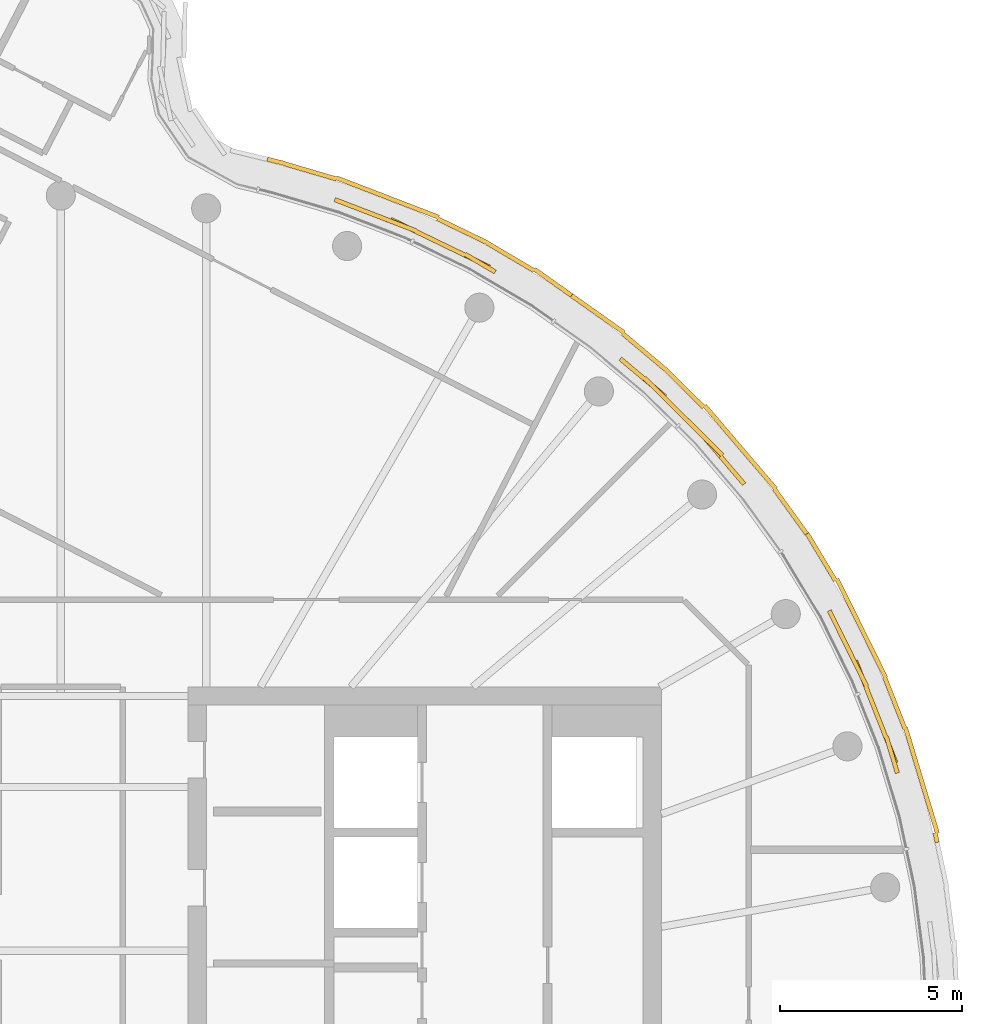
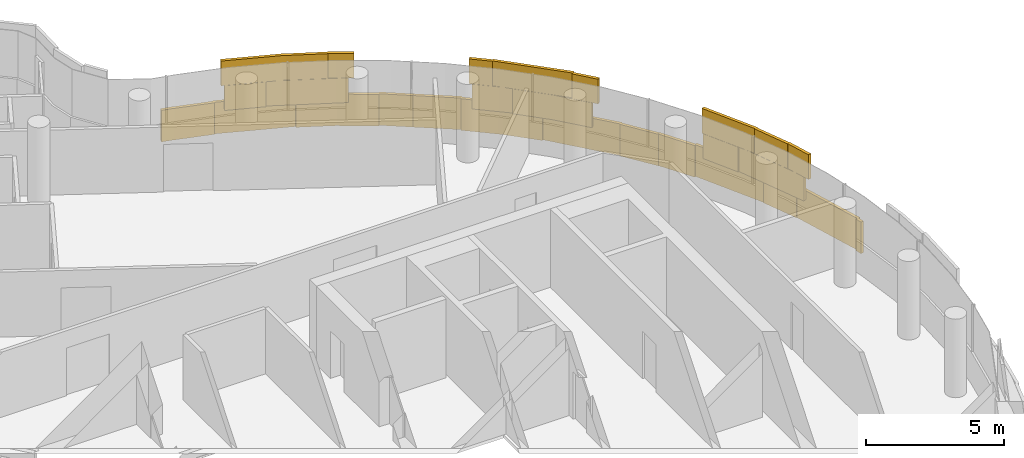
# One storey, part 20 of 21: 3 coverings.
"""IFC4 building model written with IfcOpenShell, lengths in metres."""

from ifc_helpers import new_model, si_unit, direction, frame, origin, origin_2d, place, context, subcontext, project, spatial, rectangle, extrude, material, layer, layer_set, type_object, element, save


model = new_model("IFC4")

# Units and contexts
model_context = context("Model", 3, precision=1e-05, world=origin(), true_north=direction((0.0, 1.0)))
body_context = subcontext(model_context, "Body", "Model", "MODEL_VIEW")
ifc_project = project(units=[si_unit("LENGTHUNIT", "METRE"), si_unit("AREAUNIT", "SQUARE_METRE"), si_unit("VOLUMEUNIT", "CUBIC_METRE"), si_unit("PLANEANGLEUNIT", "RADIAN"), si_unit("MASSUNIT", "GRAM", prefix="KILO")], contexts=[model_context])

# Site, building, storey
site_placement = place(None, origin())
site = spatial("IfcSite", under=ifc_project, at=site_placement, CompositionType="ELEMENT")
building_placement = place(site_placement, origin())
building = spatial("IfcBuilding", under=site, at=building_placement, Name="Tamarind Cross Interchange Tower", CompositionType="ELEMENT")
storey_placement = place(building_placement, frame((0.0, 0.0, 260.39990234375)))
storey = spatial("IfcBuildingStorey", under=building, at=storey_placement, Name="L66", CompositionType="ELEMENT", Elevation=260.39990234375)

# Coverings
ifc_material = material(Name="Terracotta", Category="masonry")
ifc_layer = layer(ifc_material, 0.1201171875)
ifc_layer_set = layer_set([ifc_layer], Name="Terracotta")
covering_type = type_object("IfcCoveringType", Name="Terracotta baguette screen unit", PredefinedType="MOLDING", material=ifc_layer_set)
covering_1_placement = place(storey_placement, origin())
element("IfcCovering", 1, at=covering_1_placement, inside=storey, type_object=covering_type, Name="SCR-L66-01-12", PredefinedType="MOLDING", context=body_context, shape_type="SweptSolid", body=[
    extrude(rectangle(XDim=1.52001953125, YDim=0.1201171875, at=origin_2d()), frame((22.66748046875, 8.1201171875, 1.404296875), z_axis=(0.0, 0.0, 1.0), x_axis=(-0.367513773146, 0.930018078613, 0.0)), (0.0, 0.0, 1.0), 1.092041015625),
    extrude(rectangle(XDim=1.52001953125, YDim=0.1201171875, at=origin_2d()), frame((22.1162109375, 9.51513671875, 1.404296875), z_axis=(0.0, 0.0, 1.0), x_axis=(-0.367513773146, 0.930018078613, 0.0)), (0.0, 0.0, 1.0), 1.092041015625),
    extrude(rectangle(XDim=1.52001953125, YDim=0.1201171875, at=origin_2d()), frame((21.472412109375, 10.869140625, 1.404296875), z_axis=(0.0, 0.0, 1.0), x_axis=(-0.443058811505, 0.896492548518, 0.0)), (0.0, 0.0, 1.0), 1.092041015625),
    extrude(rectangle(XDim=1.04541015625, YDim=0.1201171875, at=origin_2d()), frame((22.834228515625, 7.630615234375, 2.50390625), z_axis=(0.0, 0.0, 1.0), x_axis=(-0.289458243079, 0.957190642199, 0.0)), (0.0, 0.0, 1.0), 1.092041015625),
    extrude(rectangle(XDim=1.52001953125, YDim=0.1201171875, at=origin_2d()), frame((22.391845703125, 8.817626953125, 2.50390625), z_axis=(0.0, 0.0, 1.0), x_axis=(-0.367513773146, 0.930018078613, 0.0)), (0.0, 0.0, 1.0), 1.092041015625),
    extrude(rectangle(XDim=1.52001953125, YDim=0.1201171875, at=origin_2d()), frame((21.8046875, 10.19677734375, 2.50390625), z_axis=(0.0, 0.0, 1.0), x_axis=(-0.443058811505, 0.896492548518, 0.0)), (0.0, 0.0, 1.0), 1.092041015625),
    extrude(rectangle(XDim=0.8173828125, YDim=0.1201171875, at=origin_2d()), frame((21.29345703125, 11.231201171875, 2.50390625), z_axis=(0.0, 0.0, 1.0), x_axis=(-0.443058811505, 0.896492548518, 0.0)), (0.0, 0.0, 1.0), 1.092041015625),
    extrude(rectangle(XDim=0.271728515625, YDim=0.1201171875, at=origin_2d()), frame((24.050048828125, 5.360595703125, 0.004150390625), z_axis=(0.0, 0.0, 1.0), x_axis=(-0.209425419705, 0.977824623121, 0.0)), (0.0, 0.0, 1.0), 1.39208984375),
    extrude(rectangle(XDim=1.52001953125, YDim=0.1201171875, at=origin_2d()), frame((23.86181640625, 6.2158203125, 0.004150390625), z_axis=(0.0, 0.0, 1.0), x_axis=(-0.289458243079, 0.957190642199, 0.0)), (0.0, 0.0, 1.0), 1.39208984375),
    extrude(rectangle(XDim=1.52001953125, YDim=0.1201171875, at=origin_2d()), frame((23.427490234375, 7.651611328125, 0.004150390625), z_axis=(0.0, 0.0, 1.0), x_axis=(-0.289458243079, 0.957190642199, 0.0)), (0.0, 0.0, 1.0), 1.39208984375),
    extrude(rectangle(XDim=1.52001953125, YDim=0.1201171875, at=origin_2d()), frame((22.91357421875, 9.0595703125, 0.004150390625), z_axis=(0.0, 0.0, 1.0), x_axis=(-0.367513773146, 0.930018078613, 0.0)), (0.0, 0.0, 1.0), 1.39208984375),
    extrude(rectangle(XDim=1.52001953125, YDim=0.1201171875, at=origin_2d()), frame((22.32568359375, 10.438232421875, 0.004150390625), z_axis=(0.0, 0.0, 1.0), x_axis=(-0.443058811505, 0.896492548518, 0.0)), (0.0, 0.0, 1.0), 1.39208984375),
    extrude(rectangle(XDim=1.52001953125, YDim=0.1201171875, at=origin_2d()), frame((21.660888671875, 11.782958984375, 0.004150390625), z_axis=(0.0, 0.0, 1.0), x_axis=(-0.443058811505, 0.896492548518, 0.0)), (0.0, 0.0, 1.0), 1.39208984375),
    extrude(rectangle(XDim=1.506591796875, YDim=0.1201171875, at=origin_2d()), frame((20.894775390625, 13.064697265625, 0.004150390625), z_axis=(0.0, 0.0, 1.0), x_axis=(-0.515577308909, 0.856843065292, 0.0)), (0.0, 0.0, 1.0), 1.39208984375),
])
covering_2_placement = place(storey_placement, origin())
element("IfcCovering", 2, at=covering_2_placement, inside=storey, type_object=covering_type, Name="SCR-L66-01-13", PredefinedType="MOLDING", context=body_context, shape_type="SweptSolid", body=[
    extrude(rectangle(XDim=1.52001953125, YDim=0.1201171875, at=origin_2d()), frame((18.12890625, 15.828857421875, 1.404296875), z_axis=(0.0, 0.0, 1.0), x_axis=(-0.64957723968, 0.760295606781, 0.0)), (0.0, 0.0, 1.0), 1.092041015625),
    extrude(rectangle(XDim=1.52001953125, YDim=0.1201171875, at=origin_2d()), frame((17.1083984375, 16.926513671875, 1.404296875), z_axis=(0.0, 0.0, 1.0), x_axis=(-0.710143317658, 0.704057148523, 0.0)), (0.0, 0.0, 1.0), 1.092041015625),
    extrude(rectangle(XDim=1.52001953125, YDim=0.1201171875, at=origin_2d()), frame((16.028076171875, 17.9658203125, 1.404296875), z_axis=(0.0, 0.0, 1.0), x_axis=(-0.765858396687, 0.643009266048, 0.0)), (0.0, 0.0, 1.0), 1.092041015625),
    extrude(rectangle(XDim=1.00244140625, YDim=0.1201171875, at=origin_2d()), frame((18.451416015625, 15.45166015625, 2.50390625), z_axis=(0.0, 0.0, 1.0), x_axis=(-0.64957723968, 0.760295606781, 0.0)), (0.0, 0.0, 1.0), 1.092041015625),
    extrude(rectangle(XDim=1.52001953125, YDim=0.1201171875, at=origin_2d()), frame((17.640869140625, 16.3984375, 2.50390625), z_axis=(0.0, 0.0, 1.0), x_axis=(-0.710143317658, 0.704057148523, 0.0)), (0.0, 0.0, 1.0), 1.092041015625),
    extrude(rectangle(XDim=1.52001953125, YDim=0.1201171875, at=origin_2d()), frame((16.57568359375, 17.45458984375, 2.50390625), z_axis=(0.0, 0.0, 1.0), x_axis=(-0.710143317658, 0.704057148523, 0.0)), (0.0, 0.0, 1.0), 1.092041015625),
    extrude(rectangle(XDim=0.860595703125, YDim=0.1201171875, at=origin_2d()), frame((15.7021484375, 18.239501953125, 2.50390625), z_axis=(0.0, 0.0, 1.0), x_axis=(-0.765858396687, 0.643009266048, 0.0)), (0.0, 0.0, 1.0), 1.092041015625),
    extrude(rectangle(XDim=1.52001953125, YDim=0.1201171875, at=origin_2d()), frame((20.055419921875, 14.314208984375, 0.004150390625), z_axis=(0.0, 0.0, 1.0), x_axis=(-0.584573890505, 0.811340475102, 0.0)), (0.0, 0.0, 1.0), 1.39208984375),
    extrude(rectangle(XDim=1.52001953125, YDim=0.1201171875, at=origin_2d()), frame((19.154296875, 15.51220703125, 0.004150390625), z_axis=(0.0, 0.0, 1.0), x_axis=(-0.64957723968, 0.760295606781, 0.0)), (0.0, 0.0, 1.0), 1.39208984375),
    extrude(rectangle(XDim=1.52001953125, YDim=0.1201171875, at=origin_2d()), frame((18.179931640625, 16.65283203125, 0.004150390625), z_axis=(0.0, 0.0, 1.0), x_axis=(-0.64957723968, 0.760295606781, 0.0)), (0.0, 0.0, 1.0), 1.39208984375),
    extrude(rectangle(XDim=1.52001953125, YDim=0.1201171875, at=origin_2d()), frame((17.125, 17.71826171875, 0.004150390625), z_axis=(0.0, 0.0, 1.0), x_axis=(-0.710143317658, 0.704057148523, 0.0)), (0.0, 0.0, 1.0), 1.39208984375),
    extrude(rectangle(XDim=1.52001953125, YDim=0.1201171875, at=origin_2d()), frame((16.015380859375, 18.725830078125, 0.004150390625), z_axis=(0.0, 0.0, 1.0), x_axis=(-0.765858396687, 0.643009266048, 0.0)), (0.0, 0.0, 1.0), 1.39208984375),
    extrude(rectangle(XDim=1.52001953125, YDim=0.1201171875, at=origin_2d()), frame((14.853759765625, 19.673583984375, 0.004150390625), z_axis=(0.0, 0.0, 1.0), x_axis=(-0.816341886298, 0.577568978284, 0.0)), (0.0, 0.0, 1.0), 1.39208984375),
    extrude(rectangle(XDim=0.265625, YDim=0.1201171875, at=origin_2d()), frame((14.141357421875, 20.177734375, 0.004150390625), z_axis=(0.0, 0.0, 1.0), x_axis=(-0.816341886298, 0.577568978284, 0.0)), (0.0, 0.0, 1.0), 1.39208984375),
])
covering_3_placement = place(storey_placement, origin())
element("IfcCovering", 3, at=covering_3_placement, inside=storey, type_object=covering_type, Name="SCR-L66-01-14", PredefinedType="MOLDING", context=body_context, shape_type="SweptSolid", body=[
    extrude(rectangle(XDim=1.52001953125, YDim=0.1201171875, at=origin_2d()), frame((11.10205078125, 21.36279296875, 1.404296875), z_axis=(0.0, 0.0, 1.0), x_axis=(-0.900272776334, 0.435326231914, 0.0)), (0.0, 0.0, 1.0), 1.092041015625),
    extrude(rectangle(XDim=1.52001953125, YDim=0.1201171875, at=origin_2d()), frame((9.751708984375, 22.015869140625, 1.404296875), z_axis=(0.0, 0.0, 1.0), x_axis=(-0.900272776334, 0.435326231914, 0.0)), (0.0, 0.0, 1.0), 1.092041015625),
    extrude(rectangle(XDim=1.52001953125, YDim=0.1201171875, at=origin_2d()), frame((8.358154296875, 22.569580078125, 1.404296875), z_axis=(0.0, 0.0, 1.0), x_axis=(-0.933146843667, 0.359495435512, 0.0)), (0.0, 0.0, 1.0), 1.092041015625),
    extrude(rectangle(XDim=0.959228515625, YDim=0.1201171875, at=origin_2d()), frame((11.5224609375, 21.1435546875, 2.50390625), z_axis=(0.0, 0.0, 1.0), x_axis=(-0.861248933065, 0.508183308752, 0.0)), (0.0, 0.0, 1.0), 1.092041015625),
    extrude(rectangle(XDim=1.52001953125, YDim=0.1201171875, at=origin_2d()), frame((10.4267578125, 21.689453125, 2.50390625), z_axis=(0.0, 0.0, 1.0), x_axis=(-0.900272776334, 0.435326231914, 0.0)), (0.0, 0.0, 1.0), 1.092041015625),
    extrude(rectangle(XDim=1.52001953125, YDim=0.1201171875, at=origin_2d()), frame((9.05810546875, 22.300048828125, 2.50390625), z_axis=(0.0, 0.0, 1.0), x_axis=(-0.933146843667, 0.359495435512, 0.0)), (0.0, 0.0, 1.0), 1.092041015625),
    extrude(rectangle(XDim=0.897216796875, YDim=0.1201171875, at=origin_2d()), frame((7.944091796875, 22.72900390625, 2.50390625), z_axis=(0.0, 0.0, 1.0), x_axis=(-0.933146843667, 0.359495435512, 0.0)), (0.0, 0.0, 1.0), 1.092041015625),
    extrude(rectangle(XDim=1.25439453125, YDim=0.1201171875, at=origin_2d()), frame((13.520751953125, 20.61669921875, 0.004150390625), z_axis=(0.0, 0.0, 1.0), x_axis=(-0.816341886298, 0.577568978284, 0.0)), (0.0, 0.0, 1.0), 1.39208984375),
    extrude(rectangle(XDim=1.52001953125, YDim=0.1201171875, at=origin_2d()), frame((12.35009765625, 21.32177734375, 0.004150390625), z_axis=(0.0, 0.0, 1.0), x_axis=(-0.861248933065, 0.508183308752, 0.0)), (0.0, 0.0, 1.0), 1.39208984375),
    extrude(rectangle(XDim=1.52001953125, YDim=0.1201171875, at=origin_2d()), frame((11.03173828125, 22.034423828125, 0.004150390625), z_axis=(0.0, 0.0, 1.0), x_axis=(-0.900272776334, 0.435326231914, 0.0)), (0.0, 0.0, 1.0), 1.39208984375),
    extrude(rectangle(XDim=1.52001953125, YDim=0.1201171875, at=origin_2d()), frame((9.676513671875, 22.6767578125, 0.004150390625), z_axis=(0.0, 0.0, 1.0), x_axis=(-0.933146843667, 0.359495435512, 0.0)), (0.0, 0.0, 1.0), 1.39208984375),
    extrude(rectangle(XDim=1.52001953125, YDim=0.1201171875, at=origin_2d()), frame((8.27685546875, 23.216064453125, 0.004150390625), z_axis=(0.0, 0.0, 1.0), x_axis=(-0.933146843667, 0.359495435512, 0.0)), (0.0, 0.0, 1.0), 1.39208984375),
    extrude(rectangle(XDim=1.52001953125, YDim=0.1201171875, at=origin_2d()), frame((6.847900390625, 23.6689453125, 0.004150390625), z_axis=(0.0, 0.0, 1.0), x_axis=(-0.95964657186, 0.281208920763, 0.0)), (0.0, 0.0, 1.0), 1.39208984375),
    extrude(rectangle(XDim=0.4775390625, YDim=0.1201171875, at=origin_2d()), frame((5.907958984375, 23.94140625, 0.004150390625), z_axis=(0.0, 0.0, 1.0), x_axis=(-0.972273709169, 0.233845749286, 0.0)), (0.0, 0.0, 1.0), 1.39208984375),
])

save(model, "model.ifc")
